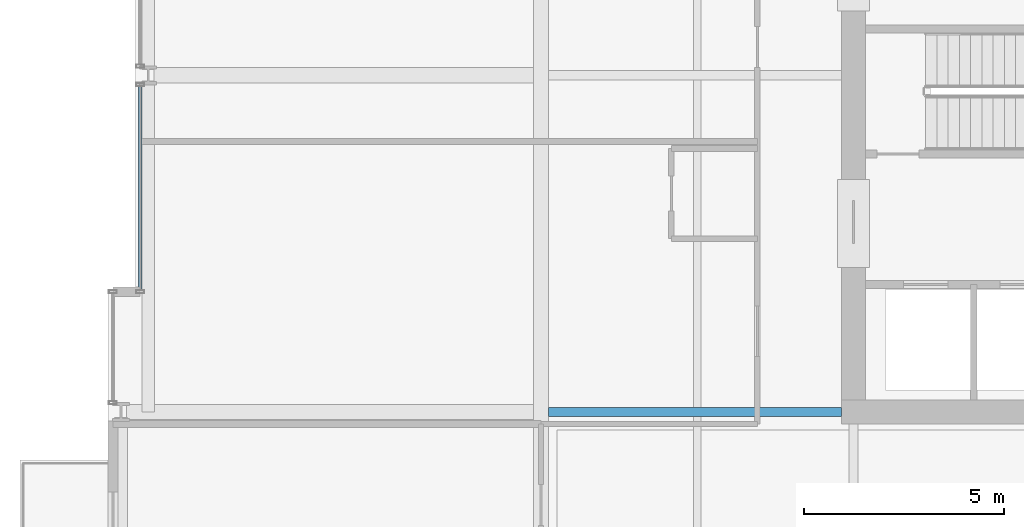
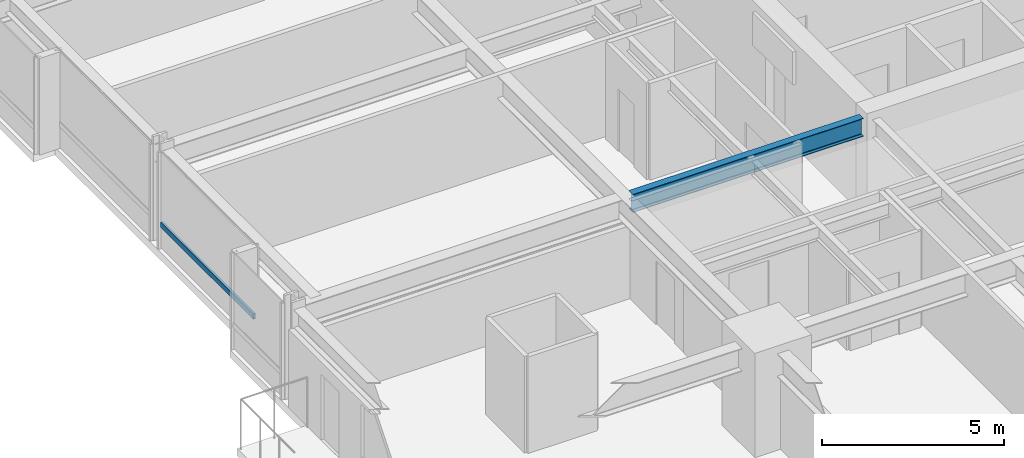
# One storey, part 8 of 37: 1 beam, 1 member, 1 element without a shape of its own.
"""IFC4 building model written with IfcOpenShell, lengths in metres."""

from ifc_helpers import new_model, si_unit, direction, frame, origin, origin_2d, place, context, subcontext, project, spatial, hollow_rectangle, i_section, extrude, material, layer, layer_set, material_profile, profile_set, type_object, element, aggregate, save


model = new_model("IFC4")

# Units and contexts
model_context = context("Model", 3, precision=1e-05, world=origin(), true_north=direction((0.0, 1.0)))
body_context = subcontext(model_context, "Body", "Model", "MODEL_VIEW")
ifc_project = project(units=[si_unit("LENGTHUNIT", "METRE"), si_unit("AREAUNIT", "SQUARE_METRE"), si_unit("VOLUMEUNIT", "CUBIC_METRE"), si_unit("PLANEANGLEUNIT", "RADIAN"), si_unit("MASSUNIT", "GRAM", prefix="KILO")], contexts=[model_context])

# Site, building, storey
site_placement = place(None, origin())
site = spatial("IfcSite", under=ifc_project, at=site_placement, CompositionType="ELEMENT")
building_placement = place(site_placement, origin())
building = spatial("IfcBuilding", under=site, at=building_placement, Name="Drelvath Grand Hotel", CompositionType="ELEMENT")
storey_placement = place(building_placement, frame((0.0, 0.0, 75.199951171875)))
storey = spatial("IfcBuildingStorey", under=building, at=storey_placement, Name="L18", CompositionType="ELEMENT", Elevation=75.199951171875)

# Curtain wall, member
ifc_material_1 = material(Name="Warm Bronze Anodised Aluminium Frame", Category="aluminium")
ifc_layer = layer(ifc_material_1, 0.199951171875)
ifc_layer_set = layer_set([ifc_layer], Name="Warm Bronze Anodised Aluminium Frame")
curtain_wall_type = type_object("IfcCurtainWallType", Name="Stick Curtain Wall CW-02 Warm Bronze Low-Rise", PredefinedType="NOTDEFINED", material=ifc_layer_set)
curtain_wall_placement = place(storey_placement, origin())
curtain_wall = element("IfcCurtainWall", 1, at=curtain_wall_placement, inside=storey, type_object=curtain_wall_type, Name="L18 CW-02 Curtain Wall CW02-L18-WM1", PredefinedType="NOTDEFINED")
ifc_material_profile_1 = material_profile(ifc_material_1, hollow_rectangle(XDim=0.074951171875, YDim=0.179931640625, WallThickness=0.0048828125, at=origin_2d()), Name="HSS180X75X5")
ifc_profile_set_1 = profile_set([ifc_material_profile_1], Name="Warm Bronze Anodised Aluminium Frame")
member_type = type_object("IfcMemberType", Name="Curtain Wall Horizontal Transom CW-02 HSS180X75X5", PredefinedType="USERDEFINED", material=ifc_profile_set_1)
member_placement = place(storey_placement, frame((-26.199951171875, 21.639892578125, 0.81005859375), z_axis=(0.0, 1.0, 0.0), x_axis=(-1.0, 0.0, 0.0)))
member = element("IfcMember", 2, at=member_placement, type_object=member_type, Name="CW02-L18-WM1 Sill Transom", ObjectType="TRANSOM", PredefinedType="USERDEFINED", context=body_context, shape_type="SweptSolid", body=[
    extrude(hollow_rectangle(XDim=0.074951171875, YDim=0.179931640625, WallThickness=0.0048828125, at=origin_2d()), origin(), (0.0, 0.0, 1.0), 5.091064453125),
])
aggregate(curtain_wall, [member])

# Beam
ifc_material_2 = material(Name="Steel ASTM A992 Gr 50", Category="steel")
ifc_material_profile_2 = material_profile(ifc_material_2, i_section(OverallWidth=0.228271484375, OverallDepth=0.607666015625, WebThickness=0.01123046875, FlangeThickness=0.017333984375, FilletRadius=0.02001953125, at=origin_2d()), Name="W24X76")
ifc_profile_set_2 = profile_set([ifc_material_profile_2], Name="Steel ASTM A992 Gr 50")
beam_type = type_object("IfcBeamType", Name="Primary Floor Girder W24X76", PredefinedType="BEAM", material=ifc_profile_set_2)
beam_placement = place(storey_placement, frame((-16.009765625, 18.60009765625, 2.936279296875), z_axis=(1.0, 0.0, 0.0), x_axis=(0.0, 1.0, 0.0)))
element("IfcBeam", 3, at=beam_placement, inside=storey, type_object=beam_type, Name="L18 West Core Tie D", PredefinedType="BEAM", context=body_context, shape_type="SweptSolid", body=[
    extrude(i_section(OverallWidth=0.228271484375, OverallDepth=0.607666015625, WebThickness=0.01123046875, FlangeThickness=0.017333984375, FilletRadius=0.02001953125, at=origin_2d()), origin(), (0.0, 0.0, 1.0), 7.309814453125),
])

save(model, "model.ifc")
